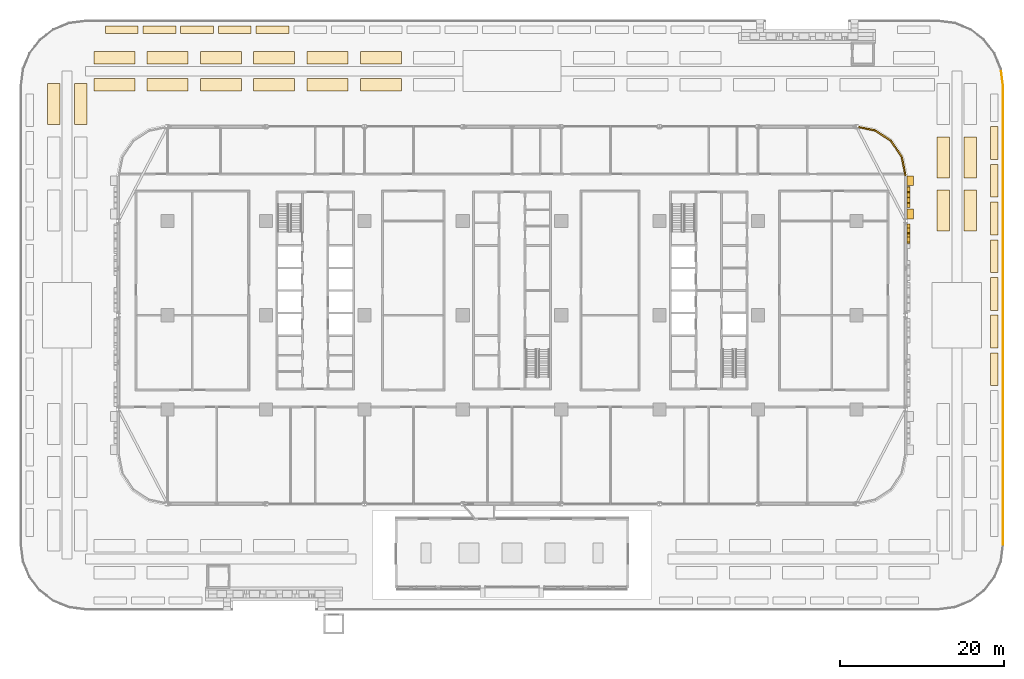
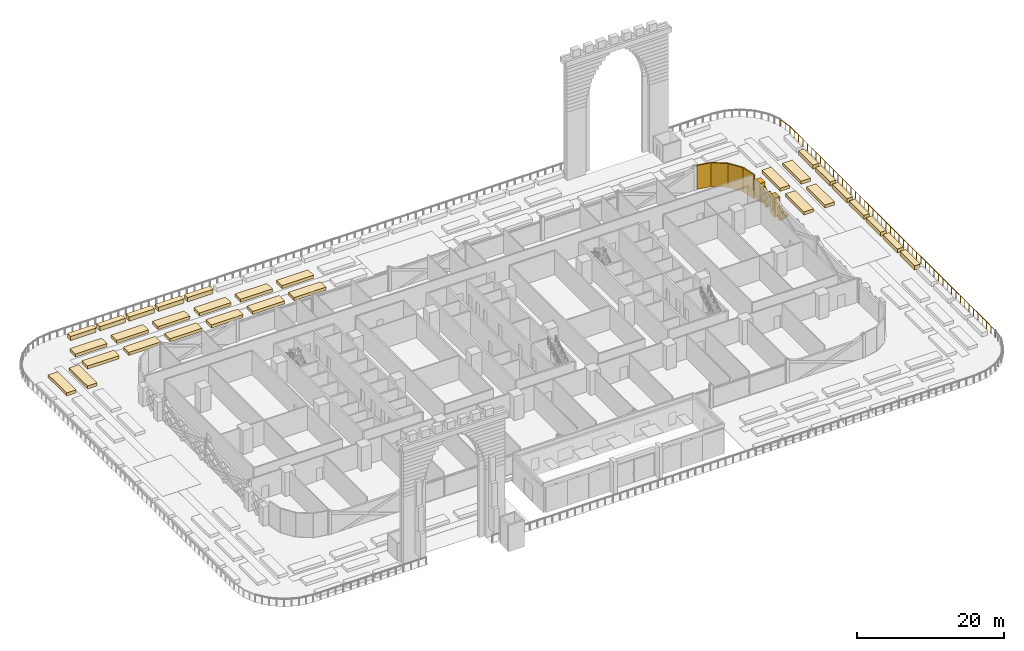
# One storey, part 38 of 39: 48 coverings, 1 railing.
"""IFC4 building model written with IfcOpenShell, lengths in metres."""

from ifc_helpers import new_model, si_unit, direction, frame, origin, origin_2d, place, context, subcontext, project, spatial, polyline, rectangle, circle, outline, extrude, material, layer, layer_set, type_object, element, save


model = new_model("IFC4")

# Units and contexts
model_context = context("Model", 3, precision=1e-05, world=origin(), true_north=direction((0.0, 1.0)))
body_context = subcontext(model_context, "Body", "Model", "MODEL_VIEW")
ifc_project = project(units=[si_unit("LENGTHUNIT", "METRE"), si_unit("AREAUNIT", "SQUARE_METRE"), si_unit("VOLUMEUNIT", "CUBIC_METRE"), si_unit("PLANEANGLEUNIT", "RADIAN"), si_unit("MASSUNIT", "GRAM", prefix="KILO")], contexts=[model_context])

# Site, building, storey
site_placement = place(None, origin())
site = spatial("IfcSite", under=ifc_project, at=site_placement, CompositionType="ELEMENT")
building_placement = place(site_placement, origin())
building = spatial("IfcBuilding", under=site, at=building_placement, Name="Mahtab Terrace Research Tower", CompositionType="ELEMENT")
storey_placement = place(building_placement, frame((0.0, 0.0, 7.199951171875)))
storey = spatial("IfcBuildingStorey", under=building, at=storey_placement, Name="L01", CompositionType="ELEMENT", Elevation=7.199951171875)

# Coverings
ifc_material_1 = material(Name="Black aluminium cladding panel", Category="aluminium")
ifc_layer_1 = layer(ifc_material_1, 0.199951171875)
ifc_layer_set_1 = layer_set([ifc_layer_1], Name="Black metal corner cladding 200")
covering_type_1 = type_object("IfcCoveringType", Name="Black metal corner cladding 200", PredefinedType="CLADDING", material=ifc_layer_set_1)
for number, where, z_axis, x_axis, name in (
    (1, (46.89306640625, 20.26953125, 0.0), (0.0, 0.0, 1.0), (-0.555291490808, 0.831655794326, 0.0), "Corner cladding L01 0"),
    (2, (45.26953125, 21.89306640625, 0.0), (0.0, 0.0, 1.0), (-0.831655794326, 0.555291490808, 0.0), "Corner cladding L01 1"),
):
    element("IfcCovering", number, at=place(storey_placement, frame(where, z_axis=z_axis, x_axis=x_axis)), inside=storey, type_object=covering_type_1, Name=name, PredefinedType="CLADDING", context=body_context, shape_type="SweptSolid", body=[
        extrude(rectangle(XDim=2.30126953125, YDim=0.199951171875, at=origin_2d()), origin(), (0.0, 0.0, 1.0), 3.9599609375),
    ])
covering_1_placement = place(storey_placement, frame((43.28173828125, 22.744873046875, 0.0), z_axis=(0.0, 0.0, 1.0), x_axis=(-0.980760981187, 0.195212442692, 0.0)))
element("IfcCovering", 3, at=covering_1_placement, inside=storey, type_object=covering_type_1, Name="Corner cladding L01 2", PredefinedType="CLADDING", context=body_context, shape_type="SweptSolid", body=[
    extrude(rectangle(XDim=2.0283203125, YDim=0.199951171875, at=origin_2d()), origin(), (0.0, 0.0, 1.0), 3.9599609375),
])
covering_2_placement = place(storey_placement, frame((47.771484375, 18.14794921875, 0.0), z_axis=(0.0, 0.0, 1.0), x_axis=(-0.195212442692, 0.980760981187, 0.0)))
element("IfcCovering", 4, at=covering_2_placement, inside=storey, type_object=covering_type_1, Name="Corner cladding L01 37", PredefinedType="CLADDING", context=body_context, shape_type="SweptSolid", body=[
    extrude(rectangle(XDim=2.30126953125, YDim=0.199951171875, at=origin_2d()), origin(), (0.0, 0.0, 1.0), 3.9599609375),
])
ifc_material_2 = material(Name="Bronze anodised aluminium", Category="aluminium")
ifc_layer_2 = layer(ifc_material_2, 0.39990234375)
ifc_layer_set_2 = layer_set([ifc_layer_2], Name="Mashrabiya relief panel 400")
covering_type_2 = type_object("IfcCoveringType", Name="Mashrabiya relief panel 400", PredefinedType="CLADDING", material=ifc_layer_set_2)
covering_3_placement = place(storey_placement, frame((48.14990234375, 9.928955078125, 1.900146484375), z_axis=(-1.0, 0.0, 0.0), x_axis=(0.0, -0.706957932274, -0.707255598772)))
element("IfcCovering", 5, at=covering_3_placement, inside=storey, type_object=covering_type_2, Name="Mashrabiya lattice cell L01 E35.12", PredefinedType="CLADDING", context=body_context, shape_type="SweptSolid", body=[
    extrude(outline(polyline([(0.0, 0.0), (0.8201817362875763, 0.0), (0.8200090664636573, 0.8203543334390104), (0.6263142932905577, 0.8203135641750295), (-0.00011249700649262895, 0.534473277846628), (0.0, 0.0)])), origin(), (0.0, 0.0, -1.0), 0.39990234375),
])
covering_4_placement = place(storey_placement, frame((48.14990234375, 9.9990234375, 1.830078125), z_axis=(-1.0, 0.0, 0.0), x_axis=(0.0, 0.707106781187, -0.707106781187)))
element("IfcCovering", 6, at=covering_4_placement, inside=storey, type_object=covering_type_2, Name="Mashrabiya lattice cell L01 E35.13", PredefinedType="CLADDING", context=body_context, shape_type="SweptSolid", body=[
    extrude(outline(polyline([(0.0, 0.0), (0.8203543516109556, 0.0), (0.820181718119455, 0.820181718119455), (0.0, 0.8203543516109556), (0.0, 0.0)])), origin(), (0.0, 0.0, -1.0), 0.39990234375),
])
covering_5_placement = place(storey_placement, frame((48.14990234375, 10.069091796875, 0.60009765625), z_axis=(-1.0, 0.0, 0.0), x_axis=(0.0, 0.707106781187, 0.707106781187)))
element("IfcCovering", 7, at=covering_5_placement, inside=storey, type_object=covering_type_2, Name="Mashrabiya lattice cell L01 E35.14", PredefinedType="CLADDING", context=body_context, shape_type="SweptSolid", body=[
    extrude(outline(polyline([(0.0, 0.0), (0.8200090846279543, 0.0), (0.8201817181194551, 0.660323104989879), (0.660323104989879, 0.8201817181194551), (0.16244811550208527, 0.820181718119455), (0.0, 0.4709441648136967), (0.0, 0.0)])), origin(), (0.0, 0.0, -1.0), 0.39990234375),
])
covering_6_placement = place(storey_placement, frame((48.14990234375, 10.64892578125, 1.320068359375), z_axis=(-1.0, 0.0, 0.0), x_axis=(0.0, -0.706957932274, 0.707255598772)))
element("IfcCovering", 8, at=covering_6_placement, inside=storey, type_object=covering_type_2, Name="Mashrabiya lattice cell L01 E35.15", PredefinedType="CLADDING", context=body_context, shape_type="SweptSolid", body=[
    extrude(outline(polyline([(0.0, 0.0), (0.8201817362875763, 0.0), (0.8203543334390104, 0.8200090664636573), (0.15985860958849407, 0.8201480889271073), (0.00013902246344993374, 0.6604957238505165), (0.0, 0.0)])), origin(), (0.0, 0.0, -1.0), 0.39990234375),
])
covering_7_placement = place(storey_placement, frame((48.14990234375, 13.698974609375, 1.830078125), z_axis=(-1.0, 0.0, 0.0), x_axis=(0.0, 0.707106781187, -0.707106781187)))
element("IfcCovering", 9, at=covering_7_placement, inside=storey, type_object=covering_type_2, Name="Mashrabiya lattice cell L01 E36.1", PredefinedType="CLADDING", context=body_context, shape_type="SweptSolid", body=[
    extrude(outline(polyline([(0.0, 0.0), (0.8203543516109556, 0.0), (0.820181718119455, 0.820181718119455), (0.0, 0.8203543516109556), (0.0, 0.0)])), origin(), (0.0, 0.0, -1.0), 0.39990234375),
])
covering_8_placement = place(storey_placement, frame((48.14990234375, 14.279052734375, 2.550048828125), z_axis=(-1.0, 0.0, 0.0), x_axis=(0.0, -0.707106781187, -0.707106781187)))
element("IfcCovering", 10, at=covering_8_placement, inside=storey, type_object=covering_type_2, Name="Mashrabiya lattice cell L01 E36.2", PredefinedType="CLADDING", context=body_context, shape_type="SweptSolid", body=[
    extrude(outline(polyline([(0.0, 0.0), (0.8203543516109556, 0.0), (0.8203543516109556, 0.8203543516109556), (0.087697813682316, 0.8203543516109556), (0.0, 0.7326565379286396), (0.0, 0.0)])), origin(), (0.0, 0.0, -1.0), 0.39990234375),
])
covering_9_placement = place(storey_placement, frame((48.14990234375, 13.76904296875, 0.60009765625), z_axis=(-1.0, 0.0, 0.0), x_axis=(0.0, 0.707255598772, 0.706957932274)))
element("IfcCovering", 11, at=covering_9_placement, inside=storey, type_object=covering_type_2, Name="Mashrabiya lattice cell L01 E36.3", PredefinedType="CLADDING", context=body_context, shape_type="SweptSolid", body=[
    extrude(outline(polyline([(0.0, 0.0), (0.8201817362875763, 0.0), (0.8203543334390104, 0.8200090664636573), (0.162793415215238, 0.8203201046986629), (-3.422874034753054e-05, 0.6575609908962573), (0.0, 0.0)])), origin(), (0.0, 0.0, -1.0), 0.39990234375),
])
covering_10_placement = place(storey_placement, frame((48.14990234375, 14.34912109375, 2.47998046875), z_axis=(-1.0, 0.0, 0.0), x_axis=(0.0, 0.707106781187, -0.707106781187)))
element("IfcCovering", 12, at=covering_10_placement, inside=storey, type_object=covering_type_2, Name="Mashrabiya lattice cell L01 E36.4", PredefinedType="CLADDING", context=body_context, shape_type="SweptSolid", body=[
    extrude(outline(polyline([(0.0, 0.0), (0.8200090846279543, 0.0), (0.820181718119455, 0.820181718119455), (-0.0001726334915006511, 0.820181718119455), (0.0, 0.0)])), origin(), (0.0, 0.0, -1.0), 0.39990234375),
])
covering_11_placement = place(storey_placement, frame((48.14990234375, 14.9990234375, 1.830078125), z_axis=(-1.0, 0.0, 0.0), x_axis=(0.0, 0.707106781187, -0.707106781187)))
element("IfcCovering", 13, at=covering_11_placement, inside=storey, type_object=covering_type_2, Name="Mashrabiya lattice cell L01 E36.5", PredefinedType="CLADDING", context=body_context, shape_type="SweptSolid", body=[
    extrude(outline(polyline([(0.0, 0.0), (0.8203543516109556, 0.0), (0.820181718119455, 0.820181718119455), (0.0, 0.8203543516109556), (0.0, 0.0)])), origin(), (0.0, 0.0, -1.0), 0.39990234375),
])
covering_12_placement = place(storey_placement, frame((48.14990234375, 15.5791015625, 2.550048828125), z_axis=(-1.0, 0.0, 0.0), x_axis=(0.0, -0.707106781187, -0.707106781187)))
element("IfcCovering", 14, at=covering_12_placement, inside=storey, type_object=covering_type_2, Name="Mashrabiya lattice cell L01 E36.6", PredefinedType="CLADDING", context=body_context, shape_type="SweptSolid", body=[
    extrude(outline(polyline([(0.0, 0.0), (0.8203543516109556, 0.0), (0.8203543516109556, 0.8203543516109556), (0.087697813682316, 0.8203543516109556), (0.0, 0.7326565379286396), (0.0, 0.0)])), origin(), (0.0, 0.0, -1.0), 0.39990234375),
])
covering_13_placement = place(storey_placement, frame((48.14990234375, 15.069091796875, 0.60009765625), z_axis=(-1.0, 0.0, 0.0), x_axis=(0.0, 0.707106781187, 0.707106781187)))
element("IfcCovering", 15, at=covering_13_placement, inside=storey, type_object=covering_type_2, Name="Mashrabiya lattice cell L01 E36.7", PredefinedType="CLADDING", context=body_context, shape_type="SweptSolid", body=[
    extrude(outline(polyline([(0.0, 0.0), (0.8200090846279543, 0.0), (0.820181718119455, 0.02261498738658152), (0.0925315514443334, 0.7502651540617031), (-0.0001726334915005956, 0.657560969125869), (0.0, 0.0)])), origin(), (0.0, 0.0, -1.0), 0.39990234375),
])
covering_14_placement = place(storey_placement, frame((48.14990234375, 15.64892578125, 1.320068359375), z_axis=(-1.0, 0.0, 0.0), x_axis=(0.0, -0.706957932274, 0.707255598772)))
element("IfcCovering", 16, at=covering_14_placement, inside=storey, type_object=covering_type_2, Name="Mashrabiya lattice cell L01 E36.8", PredefinedType="CLADDING", context=body_context, shape_type="SweptSolid", body=[
    extrude(outline(polyline([(0.0, 0.0), (0.8201817362875763, 0.0), (0.8203543334390104, 0.8200090664636573), (0.7977393828896235, 0.8201864599990892), (-0.00016787343992121818, 0.022615023221871693), (0.0, 0.0)])), origin(), (0.0, 0.0, -1.0), 0.39990234375),
])
ifc_material_3 = material(Name="Glazed ceramic tile cladding", Category="masonry")
ifc_layer_3 = layer(ifc_material_3, 0.800048828125)
ifc_layer_set_3 = layer_set([ifc_layer_3], Name="Pishtaq frame pier 800")
covering_type_3 = type_object("IfcCoveringType", Name="Pishtaq frame pier 800", PredefinedType="CLADDING", material=ifc_layer_set_3)
for number, where, z_axis, x_axis, name in (
    (17, (48.550048828125, 12.34912109375, 0.00048828125), (0.0, 0.0, 1.0), (0.0, 1.0, 0.0), "Pishtaq frame pier 36a"),
    (18, (48.550048828125, 16.39990234375, 0.00048828125), (0.0, 0.0, 1.0), (0.0, 1.0, 0.0), "Pishtaq frame pier 36b"),
):
    element("IfcCovering", number, at=place(storey_placement, frame(where, z_axis=z_axis, x_axis=x_axis)), inside=storey, type_object=covering_type_3, Name=name, PredefinedType="CLADDING", context=body_context, shape_type="SweptSolid", body=[
        extrude(rectangle(XDim=1.199951171875, YDim=0.800048828125, at=origin_2d()), origin(), (0.0, 0.0, 1.0), 3.202880859375),
    ])
ifc_material_4 = material(Name="Planting soil and shrubs")
ifc_layer_4 = layer(ifc_material_4, 0.1201171875)
ifc_layer_set_4 = layer_set([ifc_layer_4], Name="Planter")
covering_type_4 = type_object("IfcCoveringType", Name="Planter", PredefinedType="USERDEFINED", material=ifc_layer_set_4)
for number, where, z_axis, x_axis, name in (
    (19, (-29.199951171875, 34.800048828125, 0.0302734375), (0.0, 0.0, 1.0), (-1.0, 0.0, 0.0), "PLANTER garden hedge"),
    (20, (-33.800048828125, 34.800048828125, 0.0302734375), (0.0, 0.0, 1.0), (-1.0, 0.0, 0.0), "PLANTER garden hedge"),
    (21, (-38.39990234375, 34.800048828125, 0.0302734375), (0.0, 0.0, 1.0), (-1.0, 0.0, 0.0), "PLANTER garden hedge"),
    (22, (-43.0, 34.800048828125, 0.0302734375), (0.0, 0.0, 1.0), (-1.0, 0.0, 0.0), "PLANTER garden hedge"),
    (23, (-47.60009765625, 34.800048828125, 0.0302734375), (0.0, 0.0, 1.0), (-1.0, 0.0, 0.0), "PLANTER garden hedge"),
    (24, (58.800048828125, -6.60009765625, 0.0302734375), (0.0, 0.0, 1.0), (0.0, 1.0, 0.0), "PLANTER garden hedge"),
    (25, (58.800048828125, -2.0, 0.0302734375), (0.0, 0.0, 1.0), (0.0, 1.0, 0.0), "PLANTER garden hedge"),
    (26, (58.800048828125, 2.60009765625, 0.0302734375), (0.0, 0.0, 1.0), (0.0, 1.0, 0.0), "PLANTER garden hedge"),
    (27, (58.800048828125, 7.199951171875, 0.0302734375), (0.0, 0.0, 1.0), (0.0, 1.0, 0.0), "PLANTER garden hedge"),
    (28, (58.800048828125, 11.800048828125, 0.0302734375), (0.0, 0.0, 1.0), (0.0, 1.0, 0.0), "PLANTER garden hedge"),
    (29, (58.800048828125, 16.39990234375, 0.0302734375), (0.0, 0.0, 1.0), (0.0, 1.0, 0.0), "PLANTER garden hedge"),
    (30, (58.800048828125, 21.0, 0.0302734375), (0.0, 0.0, 1.0), (0.0, 1.0, 0.0), "PLANTER garden hedge"),
):
    element("IfcCovering", number, at=place(storey_placement, frame(where, z_axis=z_axis, x_axis=x_axis)), inside=storey, type_object=covering_type_4, Name=name, ObjectType="PLANTER", PredefinedType="USERDEFINED", context=body_context, shape_type="SweptSolid", body=[
        extrude(rectangle(XDim=4.0, YDim=0.89990234375, at=origin_2d()), origin(), (0.0, 0.0, 1.0), 0.699951171875),
    ])
for number, where, z_axis, x_axis, name in (
    (31, (-48.5, 28.10009765625, 0.030029296875), (0.0, 0.0, 1.0), (1.0, 0.0, 0.0), "PLANTER garden bed"),
    (32, (-48.5, 31.39990234375, 0.030029296875), (0.0, 0.0, 1.0), (1.0, 0.0, 0.0), "PLANTER garden bed"),
    (33, (-42.0, 28.10009765625, 0.030029296875), (0.0, 0.0, 1.0), (1.0, 0.0, 0.0), "PLANTER garden bed"),
    (34, (-42.0, 31.39990234375, 0.030029296875), (0.0, 0.0, 1.0), (1.0, 0.0, 0.0), "PLANTER garden bed"),
    (35, (-35.5, 28.10009765625, 0.030029296875), (0.0, 0.0, 1.0), (1.0, 0.0, 0.0), "PLANTER garden bed"),
    (36, (-35.5, 31.39990234375, 0.030029296875), (0.0, 0.0, 1.0), (1.0, 0.0, 0.0), "PLANTER garden bed"),
    (37, (-29.0, 28.10009765625, 0.030029296875), (0.0, 0.0, 1.0), (1.0, 0.0, 0.0), "PLANTER garden bed"),
    (38, (-29.0, 31.39990234375, 0.030029296875), (0.0, 0.0, 1.0), (1.0, 0.0, 0.0), "PLANTER garden bed"),
    (39, (-22.5, 28.10009765625, 0.030029296875), (0.0, 0.0, 1.0), (1.0, 0.0, 0.0), "PLANTER garden bed"),
    (40, (-22.5, 31.39990234375, 0.030029296875), (0.0, 0.0, 1.0), (1.0, 0.0, 0.0), "PLANTER garden bed"),
    (41, (-16.0, 28.10009765625, 0.030029296875), (0.0, 0.0, 1.0), (1.0, 0.0, 0.0), "PLANTER garden bed"),
    (42, (-16.0, 31.39990234375, 0.030029296875), (0.0, 0.0, 1.0), (1.0, 0.0, 0.0), "PLANTER garden bed"),
):
    element("IfcCovering", number, at=place(storey_placement, frame(where, z_axis=z_axis, x_axis=x_axis)), inside=storey, type_object=covering_type_4, Name=name, ObjectType="PLANTER", PredefinedType="USERDEFINED", context=body_context, shape_type="SweptSolid", body=[
        extrude(rectangle(XDim=5.0, YDim=1.5, at=origin_2d()), origin(), (0.0, 0.0, 1.0), 0.5),
    ])
for number, where, z_axis, x_axis, name in (
    (43, (52.60009765625, 12.75, 0.030029296875), (0.0, 0.0, 1.0), (1.0, 0.0, 0.0), "PLANTER garden bed"),
    (44, (55.89990234375, 12.75, 0.030029296875), (0.0, 0.0, 1.0), (1.0, 0.0, 0.0), "PLANTER garden bed"),
    (45, (52.60009765625, 19.25, 0.030029296875), (0.0, 0.0, 1.0), (1.0, 0.0, 0.0), "PLANTER garden bed"),
    (46, (55.89990234375, 19.25, 0.030029296875), (0.0, 0.0, 1.0), (1.0, 0.0, 0.0), "PLANTER garden bed"),
    (47, (-55.89990234375, 25.75, 0.030029296875), (0.0, 0.0, 1.0), (1.0, 0.0, 0.0), "PLANTER garden bed"),
    (48, (-52.60009765625, 25.75, 0.030029296875), (0.0, 0.0, 1.0), (1.0, 0.0, 0.0), "PLANTER garden bed"),
):
    element("IfcCovering", number, at=place(storey_placement, frame(where, z_axis=z_axis, x_axis=x_axis)), inside=storey, type_object=covering_type_4, Name=name, ObjectType="PLANTER", PredefinedType="USERDEFINED", context=body_context, shape_type="SweptSolid", body=[
        extrude(rectangle(XDim=1.5, YDim=5.0, at=origin_2d()), origin(), (0.0, 0.0, 1.0), 0.5),
    ])

# Railing
ifc_material_5 = material(Name="Black anodised aluminium", Category="aluminium")
railing_type = type_object("IfcRailingType", Name="Terrace guard 1200", PredefinedType="GUARDRAIL", material=ifc_material_5)
railing_placement = place(storey_placement, frame((59.610107421875, 30.0400390625, 0.030029296875)))
element("IfcRailing", 49, at=railing_placement, inside=storey, type_object=railing_type, Name="Garden deck guard 1", PredefinedType="GUARDRAIL", context=body_context, shape_type="SweptSolid", body=[
    extrude(circle(Radius=0.030029296875, at=origin_2d()), frame((0.0, 0.0, 1.169921875), z_axis=(0.130592082946, -0.991436184468, 0.0), x_axis=(0.991436184468, 0.130592082946, 0.0)), (0.0, 0.0, 1.0), 2.065673828125),
    extrude(circle(Radius=0.030029296875, at=origin_2d()), frame((0.269775390625, -2.048095703125, 1.169921875), z_axis=(0.0, -1.0, 0.0), x_axis=(1.0, 0.0, 0.0)), (0.0, 0.0, 1.0), 55.98388671875),
    extrude(circle(Radius=0.02490234375, at=origin_2d()), origin(), (0.0, 0.0, 1.0), 1.139892578125),
    extrude(circle(Radius=0.02490234375, at=origin_2d()), frame((0.134765625, -1.02392578125, 0.0)), (0.0, 0.0, 1.0), 1.139892578125),
    extrude(circle(Radius=0.02490234375, at=origin_2d()), frame((0.269775390625, -2.048095703125, 0.0)), (0.0, 0.0, 1.0), 1.139892578125),
    extrude(circle(Radius=0.02490234375, at=origin_2d()), frame((0.269775390625, -3.2392578125, 0.0)), (0.0, 0.0, 1.0), 1.139892578125),
    extrude(circle(Radius=0.02490234375, at=origin_2d()), frame((0.269775390625, -4.430419921875, 0.0)), (0.0, 0.0, 1.0), 1.139892578125),
    extrude(circle(Radius=0.02490234375, at=origin_2d()), frame((0.269775390625, -5.62158203125, 0.0)), (0.0, 0.0, 1.0), 1.139892578125),
    extrude(circle(Radius=0.02490234375, at=origin_2d()), frame((0.269775390625, -6.812744140625, 0.0)), (0.0, 0.0, 1.0), 1.139892578125),
    extrude(circle(Radius=0.02490234375, at=origin_2d()), frame((0.269775390625, -8.00390625, 0.0)), (0.0, 0.0, 1.0), 1.139892578125),
    extrude(circle(Radius=0.02490234375, at=origin_2d()), frame((0.269775390625, -9.195068359375, 0.0)), (0.0, 0.0, 1.0), 1.139892578125),
    extrude(circle(Radius=0.02490234375, at=origin_2d()), frame((0.269775390625, -10.38623046875, 0.0)), (0.0, 0.0, 1.0), 1.139892578125),
    extrude(circle(Radius=0.02490234375, at=origin_2d()), frame((0.269775390625, -11.5771484375, 0.0)), (0.0, 0.0, 1.0), 1.139892578125),
    extrude(circle(Radius=0.02490234375, at=origin_2d()), frame((0.269775390625, -12.768310546875, 0.0)), (0.0, 0.0, 1.0), 1.139892578125),
    extrude(circle(Radius=0.02490234375, at=origin_2d()), frame((0.269775390625, -13.95947265625, 0.0)), (0.0, 0.0, 1.0), 1.139892578125),
    extrude(circle(Radius=0.02490234375, at=origin_2d()), frame((0.269775390625, -15.150634765625, 0.0)), (0.0, 0.0, 1.0), 1.139892578125),
    extrude(circle(Radius=0.02490234375, at=origin_2d()), frame((0.269775390625, -16.341796875, 0.0)), (0.0, 0.0, 1.0), 1.139892578125),
    extrude(circle(Radius=0.02490234375, at=origin_2d()), frame((0.269775390625, -17.532958984375, 0.0)), (0.0, 0.0, 1.0), 1.139892578125),
    extrude(circle(Radius=0.02490234375, at=origin_2d()), frame((0.269775390625, -18.72412109375, 0.0)), (0.0, 0.0, 1.0), 1.139892578125),
    extrude(circle(Radius=0.02490234375, at=origin_2d()), frame((0.269775390625, -19.915283203125, 0.0)), (0.0, 0.0, 1.0), 1.139892578125),
    extrude(circle(Radius=0.02490234375, at=origin_2d()), frame((0.269775390625, -21.1064453125, 0.0)), (0.0, 0.0, 1.0), 1.139892578125),
    extrude(circle(Radius=0.02490234375, at=origin_2d()), frame((0.269775390625, -22.297607421875, 0.0)), (0.0, 0.0, 1.0), 1.139892578125),
    extrude(circle(Radius=0.02490234375, at=origin_2d()), frame((0.269775390625, -23.48876953125, 0.0)), (0.0, 0.0, 1.0), 1.139892578125),
    extrude(circle(Radius=0.02490234375, at=origin_2d()), frame((0.269775390625, -24.679931640625, 0.0)), (0.0, 0.0, 1.0), 1.139892578125),
    extrude(circle(Radius=0.02490234375, at=origin_2d()), frame((0.269775390625, -25.87109375, 0.0)), (0.0, 0.0, 1.0), 1.139892578125),
    extrude(circle(Radius=0.02490234375, at=origin_2d()), frame((0.269775390625, -27.062255859375, 0.0)), (0.0, 0.0, 1.0), 1.139892578125),
    extrude(circle(Radius=0.02490234375, at=origin_2d()), frame((0.269775390625, -28.25341796875, 0.0)), (0.0, 0.0, 1.0), 1.139892578125),
    extrude(circle(Radius=0.02490234375, at=origin_2d()), frame((0.269775390625, -29.444580078125, 0.0)), (0.0, 0.0, 1.0), 1.139892578125),
    extrude(circle(Radius=0.02490234375, at=origin_2d()), frame((0.269775390625, -30.635498046875, 0.0)), (0.0, 0.0, 1.0), 1.139892578125),
    extrude(circle(Radius=0.02490234375, at=origin_2d()), frame((0.269775390625, -31.82666015625, 0.0)), (0.0, 0.0, 1.0), 1.139892578125),
    extrude(circle(Radius=0.02490234375, at=origin_2d()), frame((0.269775390625, -33.017822265625, 0.0)), (0.0, 0.0, 1.0), 1.139892578125),
    extrude(circle(Radius=0.02490234375, at=origin_2d()), frame((0.269775390625, -34.208984375, 0.0)), (0.0, 0.0, 1.0), 1.139892578125),
    extrude(circle(Radius=0.02490234375, at=origin_2d()), frame((0.269775390625, -35.400146484375, 0.0)), (0.0, 0.0, 1.0), 1.139892578125),
    extrude(circle(Radius=0.02490234375, at=origin_2d()), frame((0.269775390625, -36.59130859375, 0.0)), (0.0, 0.0, 1.0), 1.139892578125),
    extrude(circle(Radius=0.02490234375, at=origin_2d()), frame((0.269775390625, -37.782470703125, 0.0)), (0.0, 0.0, 1.0), 1.139892578125),
    extrude(circle(Radius=0.02490234375, at=origin_2d()), frame((0.269775390625, -38.9736328125, 0.0)), (0.0, 0.0, 1.0), 1.139892578125),
    extrude(circle(Radius=0.02490234375, at=origin_2d()), frame((0.269775390625, -40.164794921875, 0.0)), (0.0, 0.0, 1.0), 1.139892578125),
    extrude(circle(Radius=0.02490234375, at=origin_2d()), frame((0.269775390625, -41.35595703125, 0.0)), (0.0, 0.0, 1.0), 1.139892578125),
    extrude(circle(Radius=0.02490234375, at=origin_2d()), frame((0.269775390625, -42.547119140625, 0.0)), (0.0, 0.0, 1.0), 1.139892578125),
    extrude(circle(Radius=0.02490234375, at=origin_2d()), frame((0.269775390625, -43.73828125, 0.0)), (0.0, 0.0, 1.0), 1.139892578125),
    extrude(circle(Radius=0.02490234375, at=origin_2d()), frame((0.269775390625, -44.929443359375, 0.0)), (0.0, 0.0, 1.0), 1.139892578125),
    extrude(circle(Radius=0.02490234375, at=origin_2d()), frame((0.269775390625, -46.12060546875, 0.0)), (0.0, 0.0, 1.0), 1.139892578125),
    extrude(circle(Radius=0.02490234375, at=origin_2d()), frame((0.269775390625, -47.311767578125, 0.0)), (0.0, 0.0, 1.0), 1.139892578125),
    extrude(circle(Radius=0.02490234375, at=origin_2d()), frame((0.269775390625, -48.5029296875, 0.0)), (0.0, 0.0, 1.0), 1.139892578125),
    extrude(circle(Radius=0.02490234375, at=origin_2d()), frame((0.269775390625, -49.69384765625, 0.0)), (0.0, 0.0, 1.0), 1.139892578125),
    extrude(circle(Radius=0.02490234375, at=origin_2d()), frame((0.269775390625, -50.885009765625, 0.0)), (0.0, 0.0, 1.0), 1.139892578125),
    extrude(circle(Radius=0.02490234375, at=origin_2d()), frame((0.269775390625, -52.076171875, 0.0)), (0.0, 0.0, 1.0), 1.139892578125),
    extrude(circle(Radius=0.02490234375, at=origin_2d()), frame((0.269775390625, -53.267333984375, 0.0)), (0.0, 0.0, 1.0), 1.139892578125),
    extrude(circle(Radius=0.02490234375, at=origin_2d()), frame((0.269775390625, -54.45849609375, 0.0)), (0.0, 0.0, 1.0), 1.139892578125),
    extrude(circle(Radius=0.02490234375, at=origin_2d()), frame((0.269775390625, -55.649658203125, 0.0)), (0.0, 0.0, 1.0), 1.139892578125),
    extrude(circle(Radius=0.02490234375, at=origin_2d()), frame((0.269775390625, -56.8408203125, 0.0)), (0.0, 0.0, 1.0), 1.139892578125),
    extrude(circle(Radius=0.02490234375, at=origin_2d()), frame((0.269775390625, -58.031982421875, 0.0)), (0.0, 0.0, 1.0), 1.139892578125),
])

save(model, "model.ifc")
